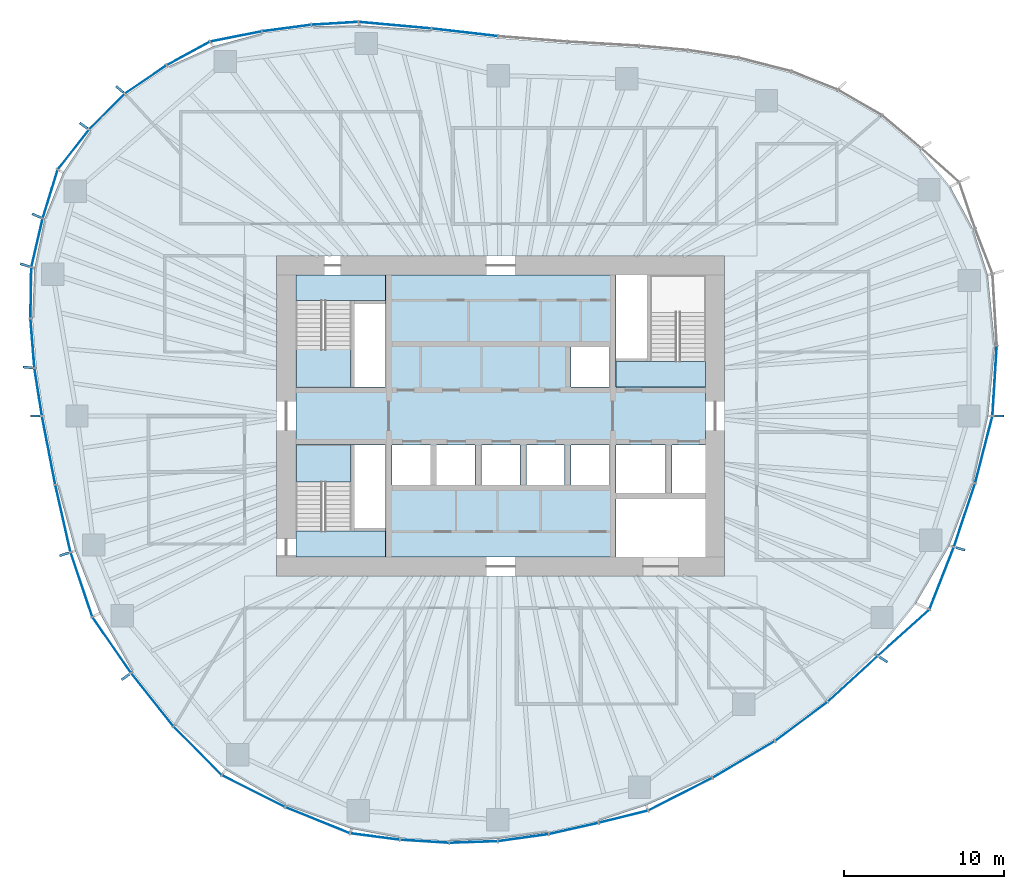
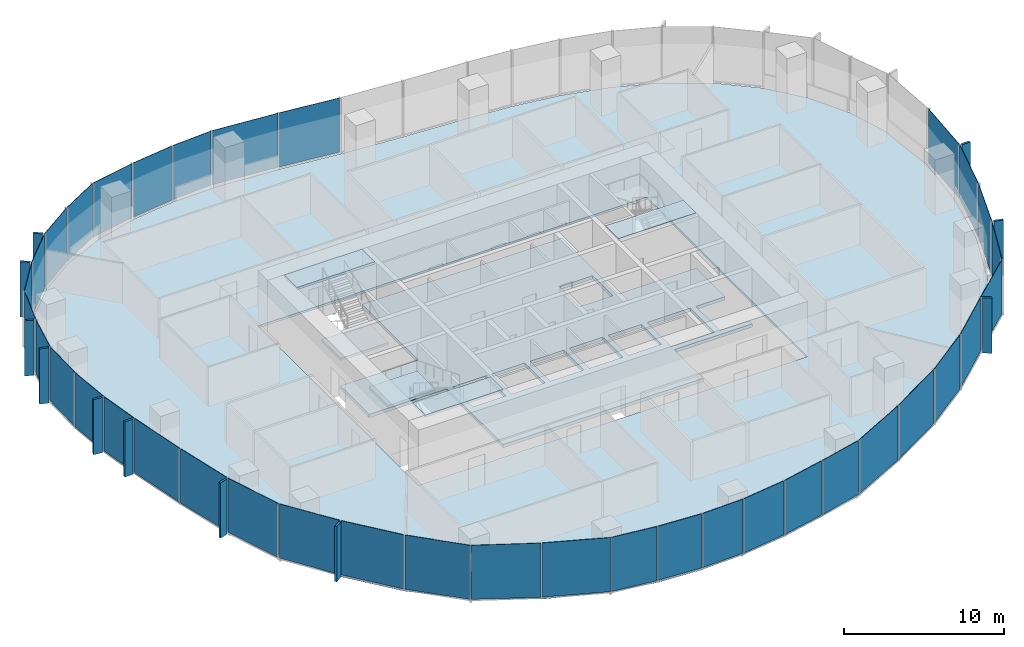
# One storey, part 7 of 18: 48 plates, 7 slabs, 19 elements without a shape of their own.
"""IFC4 building model written with IfcOpenShell, lengths in metres."""

from ifc_helpers import new_model, si_unit, direction, frame, origin, origin_2d, place, context, subcontext, project, spatial, polyline, rectangle, outline, extrude, material, layer, layer_set, type_object, element, aggregate, save


model = new_model("IFC4")

# Units and contexts
model_context = context("Model", 3, precision=1e-05, world=origin(), true_north=direction((0.0, 1.0)))
body_context = subcontext(model_context, "Body", "Model", "MODEL_VIEW")
ifc_project = project(units=[si_unit("LENGTHUNIT", "METRE"), si_unit("AREAUNIT", "SQUARE_METRE"), si_unit("VOLUMEUNIT", "CUBIC_METRE"), si_unit("PLANEANGLEUNIT", "RADIAN"), si_unit("MASSUNIT", "GRAM", prefix="KILO")], contexts=[model_context])

# Site, building, storey
site_placement = place(None, origin())
site = spatial("IfcSite", under=ifc_project, at=site_placement, CompositionType="ELEMENT")
building_placement = place(site_placement, origin())
building = spatial("IfcBuilding", under=site, at=building_placement, Name="Ghaith Harvest Tower", CompositionType="ELEMENT")
storey_placement = place(building_placement, frame((0.0, 0.0, 155.39990234375)))
storey = spatial("IfcBuildingStorey", under=building, at=storey_placement, Name="L33", CompositionType="ELEMENT", Elevation=155.39990234375)

# Curtain wall, plate
ifc_material_1 = material(Name="Black anodised aluminium and fritted glass", Category="aluminium")
curtain_wall_type = type_object("IfcCurtainWallType", Name="CW-L CURTAIN WALL", PredefinedType="NOTDEFINED", material=ifc_material_1)
curtain_wall_1_placement = place(storey_placement, origin())
curtain_wall_1 = element("IfcCurtainWall", 1, at=curtain_wall_1_placement, inside=storey, type_object=curtain_wall_type, Name="Curtain wall CW-L bay 01 L33", PredefinedType="NOTDEFINED")
ifc_material_2 = material(Name="Glass, dark solar-control fritted double glazed unit", Category="glass")
ifc_layer_1 = layer(ifc_material_2, 0.031982421875)
ifc_layer_set_1 = layer_set([ifc_layer_1], Name="CW-L VISION PANEL")
plate_type_1 = type_object("IfcPlateType", Name="CW-L VISION PANEL", PredefinedType="CURTAIN_PANEL", material=ifc_layer_set_1)
plate_1_placement = place(storey_placement, frame((30.86376953125, 2.19482421875, 0.080078125), z_axis=(0.0, 0.0, 1.0), x_axis=(0.061379619468, 0.99811449359, 0.0)))
plate_1 = element("IfcPlate", 2, at=plate_1_placement, type_object=plate_type_1, Name="CW-L glass unit 1 bay 01 L33", PredefinedType="CURTAIN_PANEL", context=body_context, shape_type="SweptSolid", body=[
    extrude(rectangle(XDim=4.318115234375, YDim=0.031982421875, at=origin_2d()), origin(), (0.0, 0.0, 1.0), 4.1201171875),
])
aggregate(curtain_wall_1, [plate_1])

# Curtain wall, plates
curtain_wall_2_placement = place(storey_placement, origin())
curtain_wall_2 = element("IfcCurtainWall", 3, at=curtain_wall_2_placement, inside=storey, type_object=curtain_wall_type, Name="Curtain wall CW-L bay 06 L33", PredefinedType="NOTDEFINED")
plate_2_placement = place(storey_placement, frame((-2.24267578125, 23.968505859375, 0.080078125), z_axis=(0.0, 0.0, 1.0), x_axis=(-0.993477024646, 0.114032458099, 0.0)))
plate_2 = element("IfcPlate", 4, at=plate_2_placement, type_object=plate_type_1, Name="CW-L glass unit 1 bay 06 L33", PredefinedType="CURTAIN_PANEL", context=body_context, shape_type="SweptSolid", body=[
    extrude(rectangle(XDim=4.10791015625, YDim=0.031982421875, at=origin_2d()), origin(), (0.0, 0.0, 1.0), 4.1201171875),
])
plate_3_placement = place(storey_placement, frame((-6.607666015625, 24.4140625, 0.080078125), z_axis=(0.0, 0.0, 1.0), x_axis=(-0.995928776302, 0.090143621701, 0.0)))
plate_3 = element("IfcPlate", 5, at=plate_3_placement, type_object=plate_type_1, Name="CW-L glass unit 2 bay 06 L33", PredefinedType="CURTAIN_PANEL", context=body_context, shape_type="SweptSolid", body=[
    extrude(rectangle(XDim=4.508056640625, YDim=0.031982421875, at=origin_2d()), origin(), (0.0, 0.0, 1.0), 4.1201171875),
])
aggregate(curtain_wall_2, [plate_2, plate_3])

curtain_wall_3_placement = place(storey_placement, origin())
curtain_wall_3 = element("IfcCurtainWall", 6, at=curtain_wall_3_placement, inside=storey, type_object=curtain_wall_type, Name="Curtain wall CW-L bay 07 L33", PredefinedType="NOTDEFINED")
plate_4_placement = place(storey_placement, frame((-10.36669921875, 24.5302734375, 0.080078125), z_axis=(0.0, 0.0, 1.0), x_axis=(-0.998119199641, -0.061303044853, 0.0)))
plate_4 = element("IfcPlate", 7, at=plate_4_placement, type_object=plate_type_1, Name="CW-L glass unit 1 bay 07 L33", PredefinedType="CURTAIN_PANEL", context=body_context, shape_type="SweptSolid", body=[
    extrude(rectangle(XDim=2.874267578125, YDim=0.031982421875, at=origin_2d()), origin(), (0.0, 0.0, 1.0), 4.1201171875),
])
plate_5_placement = place(storey_placement, frame((-13.382568359375, 24.23486328125, 0.080078125), z_axis=(0.0, 0.0, 1.0), x_axis=(-0.991285895369, -0.131728029071, 0.0)))
plate_5 = element("IfcPlate", 8, at=plate_5_placement, type_object=plate_type_1, Name="CW-L glass unit 2 bay 07 L33", PredefinedType="CURTAIN_PANEL", context=body_context, shape_type="SweptSolid", body=[
    extrude(rectangle(XDim=3.02978515625, YDim=0.031982421875, at=origin_2d()), origin(), (0.0, 0.0, 1.0), 4.1201171875),
])
plate_6_placement = place(storey_placement, frame((-16.54443359375, 23.7099609375, 0.080078125), z_axis=(0.0, 0.0, 1.0), x_axis=(-0.981037550101, -0.193817763096, 0.0)))
plate_6 = element("IfcPlate", 9, at=plate_6_placement, type_object=plate_type_1, Name="CW-L glass unit 3 bay 07 L33", PredefinedType="CURTAIN_PANEL", context=body_context, shape_type="SweptSolid", body=[
    extrude(rectangle(XDim=3.22412109375, YDim=0.031982421875, at=origin_2d()), origin(), (0.0, 0.0, 1.0), 4.1201171875),
])
aggregate(curtain_wall_3, [plate_4, plate_5, plate_6])

curtain_wall_4_placement = place(storey_placement, origin())
curtain_wall_4 = element("IfcCurtainWall", 10, at=curtain_wall_4_placement, inside=storey, type_object=curtain_wall_type, Name="Curtain wall CW-L bay 08 L33", PredefinedType="NOTDEFINED")
plate_7_placement = place(storey_placement, frame((-19.520263671875, 22.650634765625, 0.080078125), z_axis=(0.0, 0.0, 1.0), x_axis=(-0.877940384665, -0.478769966659, 0.0)))
plate_7 = element("IfcPlate", 11, at=plate_7_placement, type_object=plate_type_1, Name="CW-L glass unit 1 bay 08 L33", PredefinedType="CURTAIN_PANEL", context=body_context, shape_type="SweptSolid", body=[
    extrude(rectangle(XDim=3.007080078125, YDim=0.031982421875, at=origin_2d()), origin(), (0.0, 0.0, 1.0), 4.1201171875),
])
plate_8_placement = place(storey_placement, frame((-22.182373046875, 21.025390625, 0.080078125), z_axis=(0.0, 0.0, 1.0), x_axis=(-0.827674847773, -0.561207935051, 0.0)))
plate_8 = element("IfcPlate", 12, at=plate_8_placement, type_object=plate_type_1, Name="CW-L glass unit 2 bay 08 L33", PredefinedType="CURTAIN_PANEL", context=body_context, shape_type="SweptSolid", body=[
    extrude(rectangle(XDim=3.078369140625, YDim=0.031982421875, at=origin_2d()), origin(), (0.0, 0.0, 1.0), 4.1201171875),
])
plate_9_placement = place(storey_placement, frame((-24.603759765625, 19.01708984375, 0.080078125), z_axis=(0.0, 0.0, 1.0), x_axis=(-0.704613943896, -0.709590861037, 0.0)))
plate_9 = element("IfcPlate", 13, at=plate_9_placement, type_object=plate_type_1, Name="CW-L glass unit 3 bay 08 L33", PredefinedType="CURTAIN_PANEL", context=body_context, shape_type="SweptSolid", body=[
    extrude(rectangle(XDim=3.0830078125, YDim=0.031982421875, at=origin_2d()), origin(), (0.0, 0.0, 1.0), 4.1201171875),
])
aggregate(curtain_wall_4, [plate_7, plate_8, plate_9])

curtain_wall_5_placement = place(storey_placement, origin())
curtain_wall_5 = element("IfcCurtainWall", 14, at=curtain_wall_5_placement, inside=storey, type_object=curtain_wall_type, Name="Curtain wall CW-L bay 09 L33", PredefinedType="NOTDEFINED")
plate_10_placement = place(storey_placement, frame((-26.69873046875, 16.644775390625, 0.080078125), z_axis=(0.0, 0.0, 1.0), x_axis=(-0.617140806324, -0.786852734106, 0.0)))
plate_10 = element("IfcPlate", 15, at=plate_10_placement, type_object=plate_type_1, Name="CW-L glass unit 1 bay 09 L33", PredefinedType="CURTAIN_PANEL", context=body_context, shape_type="SweptSolid", body=[
    extrude(rectangle(XDim=3.09765625, YDim=0.031982421875, at=origin_2d()), origin(), (0.0, 0.0, 1.0), 4.1201171875),
])
plate_11_placement = place(storey_placement, frame((-28.14794921875, 13.869140625, 0.080078125), z_axis=(0.0, 0.0, 1.0), x_axis=(-0.293802674087, -0.955866093498, 0.0)))
plate_11 = element("IfcPlate", 16, at=plate_11_placement, type_object=plate_type_1, Name="CW-L glass unit 2 bay 09 L33", PredefinedType="CURTAIN_PANEL", context=body_context, shape_type="SweptSolid", body=[
    extrude(rectangle(XDim=3.111328125, YDim=0.031982421875, at=origin_2d()), origin(), (0.0, 0.0, 1.0), 4.1201171875),
])
plate_12_placement = place(storey_placement, frame((-28.9716796875, 10.819091796875, 0.080078125), z_axis=(0.0, 0.0, 1.0), x_axis=(-0.226698962458, -0.973964876379, 0.0)))
plate_12 = element("IfcPlate", 17, at=plate_12_placement, type_object=plate_type_1, Name="CW-L glass unit 3 bay 09 L33", PredefinedType="CURTAIN_PANEL", context=body_context, shape_type="SweptSolid", body=[
    extrude(rectangle(XDim=3.05126953125, YDim=0.031982421875, at=origin_2d()), origin(), (0.0, 0.0, 1.0), 4.1201171875),
])
aggregate(curtain_wall_5, [plate_10, plate_11, plate_12])

curtain_wall_6_placement = place(storey_placement, origin())
curtain_wall_6 = element("IfcCurtainWall", 18, at=curtain_wall_6_placement, inside=storey, type_object=curtain_wall_type, Name="Curtain wall CW-L bay 10 L33", PredefinedType="NOTDEFINED")
plate_13_placement = place(storey_placement, frame((-29.352294921875, 7.695068359375, 0.080078125), z_axis=(0.0, 0.0, 1.0), x_axis=(-0.016034106433, -0.999871445452, 0.0)))
plate_13 = element("IfcPlate", 19, at=plate_13_placement, type_object=plate_type_1, Name="CW-L glass unit 1 bay 10 L33", PredefinedType="CURTAIN_PANEL", context=body_context, shape_type="SweptSolid", body=[
    extrude(rectangle(XDim=3.118408203125, YDim=0.031982421875, at=origin_2d()), origin(), (0.0, 0.0, 1.0), 4.1201171875),
])
plate_14_placement = place(storey_placement, frame((-29.25439453125, 4.54345703125, 0.080078125), z_axis=(0.0, 0.0, 1.0), x_axis=(0.079273335663, -0.996852917061, 0.0)))
plate_14 = element("IfcPlate", 20, at=plate_14_placement, type_object=plate_type_1, Name="CW-L glass unit 2 bay 10 L33", PredefinedType="CURTAIN_PANEL", context=body_context, shape_type="SweptSolid", body=[
    extrude(rectangle(XDim=3.035400390625, YDim=0.031982421875, at=origin_2d()), origin(), (0.0, 0.0, 1.0), 4.1201171875),
])
plate_15_placement = place(storey_placement, frame((-28.896240234375, 1.495361328125, 0.080078125), z_axis=(0.0, 0.0, 1.0), x_axis=(0.155172175389, -0.987887440949, 0.0)))
plate_15 = element("IfcPlate", 21, at=plate_15_placement, type_object=plate_type_1, Name="CW-L glass unit 3 bay 10 L33", PredefinedType="CURTAIN_PANEL", context=body_context, shape_type="SweptSolid", body=[
    extrude(rectangle(XDim=2.947265625, YDim=0.031982421875, at=origin_2d()), origin(), (0.0, 0.0, 1.0), 4.1201171875),
])
aggregate(curtain_wall_6, [plate_13, plate_14, plate_15])

curtain_wall_7_placement = place(storey_placement, origin())
curtain_wall_7 = element("IfcCurtainWall", 22, at=curtain_wall_7_placement, inside=storey, type_object=curtain_wall_type, Name="Curtain wall CW-L bay 11 L33", PredefinedType="NOTDEFINED")
plate_16_placement = place(storey_placement, frame((-28.24462890625, -2.152099609375, 0.080078125), z_axis=(0.0, 0.0, 1.0), x_axis=(0.190044913274, -0.981775397399, 0.0)))
plate_16 = element("IfcPlate", 23, at=plate_16_placement, type_object=plate_type_1, Name="CW-L glass unit 1 bay 11 L33", PredefinedType="CURTAIN_PANEL", context=body_context, shape_type="SweptSolid", body=[
    extrude(rectangle(XDim=4.303955078125, YDim=0.031982421875, at=origin_2d()), origin(), (0.0, 0.0, 1.0), 4.1201171875),
])
plate_17_placement = place(storey_placement, frame((-27.351806640625, -6.41064453125, 0.080078125), z_axis=(0.0, 0.0, 1.0), x_axis=(0.220483469245, -0.975390711351, 0.0)))
plate_17 = element("IfcPlate", 24, at=plate_17_placement, type_object=plate_type_1, Name="CW-L glass unit 2 bay 11 L33", PredefinedType="CURTAIN_PANEL", context=body_context, shape_type="SweptSolid", body=[
    extrude(rectangle(XDim=4.239501953125, YDim=0.031982421875, at=origin_2d()), origin(), (0.0, 0.0, 1.0), 4.1201171875),
])
aggregate(curtain_wall_7, [plate_16, plate_17])

curtain_wall_8_placement = place(storey_placement, origin())
curtain_wall_8 = element("IfcCurtainWall", 25, at=curtain_wall_8_placement, inside=storey, type_object=curtain_wall_type, Name="Curtain wall CW-L bay 12 L33", PredefinedType="NOTDEFINED")
plate_18_placement = place(storey_placement, frame((-26.194580078125, -10.537841796875, 0.080078125), z_axis=(0.0, 0.0, 1.0), x_axis=(0.319477383729, -0.947593901039, 0.0)))
plate_18 = element("IfcPlate", 26, at=plate_18_placement, type_object=plate_type_1, Name="CW-L glass unit 1 bay 12 L33", PredefinedType="CURTAIN_PANEL", context=body_context, shape_type="SweptSolid", body=[
    extrude(rectangle(XDim=4.184326171875, YDim=0.031982421875, at=origin_2d()), origin(), (0.0, 0.0, 1.0), 4.1201171875),
])
plate_19_placement = place(storey_placement, frame((-24.3017578125, -14.312255859375, 0.080078125), z_axis=(0.0, 0.0, 1.0), x_axis=(0.568347699633, -0.822788485774, 0.0)))
plate_19 = element("IfcPlate", 27, at=plate_19_placement, type_object=plate_type_1, Name="CW-L glass unit 2 bay 12 L33", PredefinedType="CURTAIN_PANEL", context=body_context, shape_type="SweptSolid", body=[
    extrude(rectangle(XDim=4.18359375, YDim=0.031982421875, at=origin_2d()), origin(), (0.0, 0.0, 1.0), 4.1201171875),
])
aggregate(curtain_wall_8, [plate_18, plate_19])

curtain_wall_9_placement = place(storey_placement, origin())
curtain_wall_9 = element("IfcCurtainWall", 28, at=curtain_wall_9_placement, inside=storey, type_object=curtain_wall_type, Name="Curtain wall CW-L bay 13 L33", PredefinedType="NOTDEFINED")
plate_20_placement = place(storey_placement, frame((-21.765625, -17.7314453125, 0.080078125), z_axis=(0.0, 0.0, 1.0), x_axis=(0.622507360482, -0.782613944513, 0.0)))
plate_20 = element("IfcPlate", 29, at=plate_20_placement, type_object=plate_type_1, Name="CW-L glass unit 1 bay 13 L33", PredefinedType="CURTAIN_PANEL", context=body_context, shape_type="SweptSolid", body=[
    extrude(rectangle(XDim=4.175537109375, YDim=0.031982421875, at=origin_2d()), origin(), (0.0, 0.0, 1.0), 4.1201171875),
])
plate_21_placement = place(storey_placement, frame((-18.935791015625, -20.920166015625, 0.080078125), z_axis=(0.0, 0.0, 1.0), x_axis=(0.702843151286, -0.711344856375, 0.0)))
plate_21 = element("IfcPlate", 30, at=plate_21_placement, type_object=plate_type_1, Name="CW-L glass unit 2 bay 13 L33", PredefinedType="CURTAIN_PANEL", context=body_context, shape_type="SweptSolid", body=[
    extrude(rectangle(XDim=4.203369140625, YDim=0.031982421875, at=origin_2d()), origin(), (0.0, 0.0, 1.0), 4.1201171875),
])
aggregate(curtain_wall_9, [plate_20, plate_21])

curtain_wall_10_placement = place(storey_placement, origin())
curtain_wall_10 = element("IfcCurtainWall", 31, at=curtain_wall_10_placement, inside=storey, type_object=curtain_wall_type, Name="Curtain wall CW-L bay 14 L33", PredefinedType="NOTDEFINED")
plate_22_placement = place(storey_placement, frame((-15.44677734375, -23.443115234375, 0.080078125), z_axis=(0.0, 0.0, 1.0), x_axis=(0.893062297869, -0.449933030712, 0.0)))
plate_22 = element("IfcPlate", 32, at=plate_22_placement, type_object=plate_type_1, Name="CW-L glass unit 1 bay 14 L33", PredefinedType="CURTAIN_PANEL", context=body_context, shape_type="SweptSolid", body=[
    extrude(rectangle(XDim=4.362548828125, YDim=0.031982421875, at=origin_2d()), origin(), (0.0, 0.0, 1.0), 4.1201171875),
])
plate_23_placement = place(storey_placement, frame((-11.441162109375, -25.260498046875, 0.080078125), z_axis=(0.0, 0.0, 1.0), x_axis=(0.927002522537, -0.375055093567, 0.0)))
plate_23 = element("IfcPlate", 33, at=plate_23_placement, type_object=plate_type_1, Name="CW-L glass unit 2 bay 14 L33", PredefinedType="CURTAIN_PANEL", context=body_context, shape_type="SweptSolid", body=[
    extrude(rectangle(XDim=4.282470703125, YDim=0.031982421875, at=origin_2d()), origin(), (0.0, 0.0, 1.0), 4.1201171875),
])
aggregate(curtain_wall_10, [plate_22, plate_23])

curtain_wall_11_placement = place(storey_placement, origin())
curtain_wall_11 = element("IfcCurtainWall", 34, at=curtain_wall_11_placement, inside=storey, type_object=curtain_wall_type, Name="Curtain wall CW-L bay 15 L33", PredefinedType="NOTDEFINED")
plate_24_placement = place(storey_placement, frame((-7.856689453125, -26.281005859375, 0.080078125), z_axis=(0.0, 0.0, 1.0), x_axis=(0.99172348392, -0.128392100386, 0.0)))
plate_24 = element("IfcPlate", 35, at=plate_24_placement, type_object=plate_type_1, Name="CW-L glass unit 1 bay 15 L33", PredefinedType="CURTAIN_PANEL", context=body_context, shape_type="SweptSolid", body=[
    extrude(rectangle(XDim=3.07080078125, YDim=0.031982421875, at=origin_2d()), origin(), (0.0, 0.0, 1.0), 4.1201171875),
])
plate_25_placement = place(storey_placement, frame((-4.7568359375, -26.57958984375, 0.080078125), z_axis=(0.0, 0.0, 1.0), x_axis=(0.998038280843, -0.062606628824, 0.0)))
plate_25 = element("IfcPlate", 36, at=plate_25_placement, type_object=plate_type_1, Name="CW-L glass unit 2 bay 15 L33", PredefinedType="CURTAIN_PANEL", context=body_context, shape_type="SweptSolid", body=[
    extrude(rectangle(XDim=3.001220703125, YDim=0.031982421875, at=origin_2d()), origin(), (0.0, 0.0, 1.0), 4.1201171875),
])
plate_26_placement = place(storey_placement, frame((-1.700439453125, -26.624755859375, 0.080078125), z_axis=(0.0, 0.0, 1.0), x_axis=(0.999431515426, 0.033714180603, 0.0)))
plate_26 = element("IfcPlate", 37, at=plate_26_placement, type_object=plate_type_1, Name="CW-L glass unit 3 bay 15 L33", PredefinedType="CURTAIN_PANEL", context=body_context, shape_type="SweptSolid", body=[
    extrude(rectangle(XDim=2.958984375, YDim=0.031982421875, at=origin_2d()), origin(), (0.0, 0.0, 1.0), 4.1201171875),
])
aggregate(curtain_wall_11, [plate_24, plate_25, plate_26])

curtain_wall_12_placement = place(storey_placement, origin())
curtain_wall_12 = element("IfcCurtainWall", 38, at=curtain_wall_12_placement, inside=storey, type_object=curtain_wall_type, Name="Curtain wall CW-L bay 16 L33", PredefinedType="NOTDEFINED")
plate_27_placement = place(storey_placement, frame((1.4140625, -26.3515625, 0.080078125), z_axis=(0.0, 0.0, 1.0), x_axis=(0.990448098003, 0.137886058621, 0.0)))
plate_27 = element("IfcPlate", 39, at=plate_27_placement, type_object=plate_type_1, Name="CW-L glass unit 1 bay 16 L33", PredefinedType="CURTAIN_PANEL", context=body_context, shape_type="SweptSolid", body=[
    extrude(rectangle(XDim=3.142578125, YDim=0.031982421875, at=origin_2d()), origin(), (0.0, 0.0, 1.0), 4.1201171875),
])
plate_28_placement = place(storey_placement, frame((4.565185546875, -25.77734375, 0.080078125), z_axis=(0.0, 0.0, 1.0), x_axis=(0.975341754172, 0.220699937852, 0.0)))
plate_28 = element("IfcPlate", 40, at=plate_28_placement, type_object=plate_type_1, Name="CW-L glass unit 2 bay 16 L33", PredefinedType="CURTAIN_PANEL", context=body_context, shape_type="SweptSolid", body=[
    extrude(rectangle(XDim=3.10888671875, YDim=0.031982421875, at=origin_2d()), origin(), (0.0, 0.0, 1.0), 4.1201171875),
])
plate_29_placement = place(storey_placement, frame((7.66845703125, -25.0400390625, 0.080078125), z_axis=(0.0, 0.0, 1.0), x_axis=(0.970384283801, 0.241566433413, 0.0)))
plate_29 = element("IfcPlate", 41, at=plate_29_placement, type_object=plate_type_1, Name="CW-L glass unit 3 bay 16 L33", PredefinedType="CURTAIN_PANEL", context=body_context, shape_type="SweptSolid", body=[
    extrude(rectangle(XDim=3.111083984375, YDim=0.031982421875, at=origin_2d()), origin(), (0.0, 0.0, 1.0), 4.1201171875),
])
aggregate(curtain_wall_12, [plate_27, plate_28, plate_29])

curtain_wall_13_placement = place(storey_placement, origin())
curtain_wall_13 = element("IfcCurtainWall", 42, at=curtain_wall_13_placement, inside=storey, type_object=curtain_wall_type, Name="Curtain wall CW-L bay 17 L33", PredefinedType="NOTDEFINED")
plate_30_placement = place(storey_placement, frame((11.220703125, -23.63427734375, 0.080078125), z_axis=(0.0, 0.0, 1.0), x_axis=(0.891126766056, 0.453754434489, 0.0)))
plate_30 = element("IfcPlate", 43, at=plate_30_placement, type_object=plate_type_1, Name="CW-L glass unit 1 bay 17 L33", PredefinedType="CURTAIN_PANEL", context=body_context, shape_type="SweptSolid", body=[
    extrude(rectangle(XDim=4.417236328125, YDim=0.031982421875, at=origin_2d()), origin(), (0.0, 0.0, 1.0), 4.1201171875),
])
plate_31_placement = place(storey_placement, frame((15.17822265625, -21.46484375, 0.080078125), z_axis=(0.0, 0.0, 1.0), x_axis=(0.861979497965, 0.506943137924, 0.0)))
plate_31 = element("IfcPlate", 44, at=plate_31_placement, type_object=plate_type_1, Name="CW-L glass unit 2 bay 17 L33", PredefinedType="CURTAIN_PANEL", context=body_context, shape_type="SweptSolid", body=[
    extrude(rectangle(XDim=4.453125, YDim=0.031982421875, at=origin_2d()), origin(), (0.0, 0.0, 1.0), 4.1201171875),
])
aggregate(curtain_wall_13, [plate_30, plate_31])

curtain_wall_14_placement = place(storey_placement, origin())
curtain_wall_14 = element("IfcCurtainWall", 45, at=curtain_wall_14_placement, inside=storey, type_object=curtain_wall_type, Name="Curtain wall CW-L bay 18 L33", PredefinedType="NOTDEFINED")
plate_32_placement = place(storey_placement, frame((18.78076171875, -19.08984375, 0.080078125), z_axis=(0.0, 0.0, 1.0), x_axis=(0.802462370117, 0.596702727115, 0.0)))
plate_32 = element("IfcPlate", 46, at=plate_32_placement, type_object=plate_type_1, Name="CW-L glass unit 1 bay 18 L33", PredefinedType="CURTAIN_PANEL", context=body_context, shape_type="SweptSolid", body=[
    extrude(rectangle(XDim=4.029541015625, YDim=0.031982421875, at=origin_2d()), origin(), (0.0, 0.0, 1.0), 4.1201171875),
])
plate_33_placement = place(storey_placement, frame((21.9951171875, -16.428955078125, 0.080078125), z_axis=(0.0, 0.0, 1.0), x_axis=(0.737201663563, 0.675672781189, 0.0)))
plate_33 = element("IfcPlate", 47, at=plate_33_placement, type_object=plate_type_1, Name="CW-L glass unit 2 bay 18 L33", PredefinedType="CURTAIN_PANEL", context=body_context, shape_type="SweptSolid", body=[
    extrude(rectangle(XDim=4.1669921875, YDim=0.031982421875, at=origin_2d()), origin(), (0.0, 0.0, 1.0), 4.1201171875),
])
aggregate(curtain_wall_14, [plate_32, plate_33])

curtain_wall_15_placement = place(storey_placement, origin())
curtain_wall_15 = element("IfcCurtainWall", 48, at=curtain_wall_15_placement, inside=storey, type_object=curtain_wall_type, Name="Curtain wall CW-L bay 19 L33", PredefinedType="NOTDEFINED")
plate_34_placement = place(storey_placement, frame((25.17333984375, -13.54345703125, 0.080078125), z_axis=(0.0, 0.0, 1.0), x_axis=(0.743493028761, 0.668743684968, 0.0)))
plate_34 = element("IfcPlate", 49, at=plate_34_placement, type_object=plate_type_1, Name="CW-L glass unit 1 bay 19 L33", PredefinedType="CURTAIN_PANEL", context=body_context, shape_type="SweptSolid", body=[
    extrude(rectangle(XDim=4.2587890625, YDim=0.031982421875, at=origin_2d()), origin(), (0.0, 0.0, 1.0), 4.1201171875),
])
plate_35_placement = place(storey_placement, frame((27.552978515625, -10.138916015625, 0.080078125), z_axis=(0.0, 0.0, 1.0), x_axis=(0.365226458984, 0.930918704108, 0.0)))
plate_35 = element("IfcPlate", 50, at=plate_35_placement, type_object=plate_type_1, Name="CW-L glass unit 2 bay 19 L33", PredefinedType="CURTAIN_PANEL", context=body_context, shape_type="SweptSolid", body=[
    extrude(rectangle(XDim=4.11767578125, YDim=0.031982421875, at=origin_2d()), origin(), (0.0, 0.0, 1.0), 4.1201171875),
])
aggregate(curtain_wall_15, [plate_34, plate_35])

curtain_wall_16_placement = place(storey_placement, origin())
curtain_wall_16 = element("IfcCurtainWall", 51, at=curtain_wall_16_placement, inside=storey, type_object=curtain_wall_type, Name="Curtain wall CW-L bay 20 L33", PredefinedType="NOTDEFINED")
plate_36_placement = place(storey_placement, frame((28.982666015625, -6.191650390625, 0.080078125), z_axis=(0.0, 0.0, 1.0), x_axis=(0.315708038084, 0.948856382541, 0.0)))
plate_36 = element("IfcPlate", 52, at=plate_36_placement, type_object=plate_type_1, Name="CW-L glass unit 1 bay 20 L33", PredefinedType="CURTAIN_PANEL", context=body_context, shape_type="SweptSolid", body=[
    extrude(rectangle(XDim=4.12158203125, YDim=0.031982421875, at=origin_2d()), origin(), (0.0, 0.0, 1.0), 4.1201171875),
])
plate_37_placement = place(storey_placement, frame((30.187255859375, -2.09912109375, 0.080078125), z_axis=(0.0, 0.0, 1.0), x_axis=(0.24974411022, 0.968311870944, 0.0)))
plate_37 = element("IfcPlate", 53, at=plate_37_placement, type_object=plate_type_1, Name="CW-L glass unit 2 bay 20 L33", PredefinedType="CURTAIN_PANEL", context=body_context, shape_type="SweptSolid", body=[
    extrude(rectangle(XDim=4.255615234375, YDim=0.031982421875, at=origin_2d()), origin(), (0.0, 0.0, 1.0), 4.1201171875),
])
aggregate(curtain_wall_16, [plate_36, plate_37])

# Slabs
ifc_material_3 = material(Name="Concrete C40/50", Category="concrete")
ifc_layer_2 = layer(ifc_material_3, 0.169921875)
ifc_layer_set_2 = layer_set([ifc_layer_2], Name="FLOOR SLAB 170")
slab_type_1 = type_object("IfcSlabType", Name="FLOOR SLAB 170", PredefinedType="FLOOR", material=ifc_layer_set_2)
slab_1_placement = place(storey_placement, frame((0.0, 0.0, -0.169921875)))
element("IfcSlab", 54, at=slab_1_placement, inside=storey, type_object=slab_type_1, Name="Floor slab L33", PredefinedType="FLOOR", context=body_context, shape_type="SweptSolid", body=[
    extrude(outline(polyline([(30.458740234375, 0.0), (30.8798828125, 4.373046875), (30.439208984375, 8.797607421875), (29.52294921875, 11.671875), (28.0888671875, 14.32568359375), (26.179443359375, 16.660888671875), (23.7275390625, 18.718017578125), (20.97998046875, 20.3056640625), (18.0849609375, 21.4462890625), (14.79833984375, 22.27978515625), (11.617919921875, 22.757080078125), (8.604736328125, 23.017333984375), (4.125732421875, 23.272705078125), (-0.16162109375, 23.609619140625), (-4.302001953125, 24.089111328125), (-8.814208984375, 24.404541015625), (-11.788818359375, 24.331787109375), (-14.860595703125, 23.927978515625), (-17.938232421875, 23.097412109375), (-20.79248046875, 21.82470703125), (-23.398193359375, 20.06103515625), (-25.61962890625, 17.826416015625), (-27.33837890625, 15.204833984375), (-28.506591796875, 12.29638671875), (-29.12646484375, 9.230712890625), (-29.260498046875, 6.07177734375), (-29.01171875, 2.978271484375), (-28.541259765625, 0.0), (-27.70947265625, -4.285888671875), (-26.580078125, -8.423583984375), (-25.046875, -12.32861328125), (-22.99169921875, -15.997802734375), (-20.35400390625, -19.31396484375), (-17.1728515625, -22.11181640625), (-13.4052734375, -24.33740234375), (-9.317138671875, -25.79638671875), (-6.2666015625, -26.366455078125), (-3.204833984375, -26.556884765625), (-0.180908203125, -26.423583984375), (2.99609375, -26.010009765625), (6.09228515625, -25.308837890625), (9.09423828125, -24.326904296875), (13.163818359375, -22.510498046875), (17.054443359375, -20.22412109375), (20.33935546875, -17.784912109375), (23.400390625, -14.89208984375), (25.94775390625, -11.714111328125), (28.03125, -8.1015625), (29.527099609375, -4.181396484375), (30.458740234375, 0.0)]), holes=[polyline([(-14.0, -10.0), (14.0, -10.0), (14.0, 10.0), (-14.0, 10.0), (-14.0, -10.0)])]), origin(), (0.0, 0.0, 1.0), 0.169921875),
])
ifc_material_4 = material(Name="Concrete C40/50", Category="concrete")
ifc_layer_3 = layer(ifc_material_4, 0.25)
ifc_layer_set_3 = layer_set([ifc_layer_3], Name="FLOOR SLAB 250")
slab_type_2 = type_object("IfcSlabType", Name="FLOOR SLAB 250", PredefinedType="FLOOR", material=ifc_layer_set_3)
slab_2_placement = place(storey_placement, frame((0.0, 0.0, -0.25)))
element("IfcSlab", 55, at=slab_2_placement, inside=storey, type_object=slab_type_2, Name="Core slab L33", PredefinedType="FLOOR", context=body_context, shape_type="SweptSolid", body=[
    extrude(outline(polyline([(-12.800048828125, 1.800048828125), (-7.199951171875, 1.800048828125), (-7.199951171875, 8.800048828125), (7.199951171875, 8.800048828125), (7.199951171875, 1.800048828125), (12.800048828125, 1.800048828125), (12.800048828125, -1.800048828125), (10.699951171875, -1.800048828125), (10.699951171875, -4.800048828125), (12.800048828125, -4.800048828125), (12.800048828125, -5.199951171875), (7.199951171875, -5.199951171875), (7.199951171875, -8.800048828125), (-7.199951171875, -8.800048828125), (-7.199951171875, -1.800048828125), (-12.800048828125, -1.800048828125), (-12.800048828125, 1.800048828125)]), holes=[polyline([(-4.39990234375, -4.300048828125), (-4.39990234375, -1.800048828125), (-6.800048828125, -1.800048828125), (-6.800048828125, -4.300048828125), (-4.39990234375, -4.300048828125)]), polyline([(-1.60009765625, -4.300048828125), (-1.60009765625, -1.800048828125), (-4.0, -1.800048828125), (-4.0, -4.300048828125), (-1.60009765625, -4.300048828125)]), polyline([(1.199951171875, -1.800048828125), (-1.199951171875, -1.800048828125), (-1.199951171875, -4.300048828125), (1.199951171875, -4.300048828125), (1.199951171875, -1.800048828125)]), polyline([(4.0, -4.300048828125), (4.0, -1.800048828125), (1.60009765625, -1.800048828125), (1.60009765625, -4.300048828125), (4.0, -4.300048828125)]), polyline([(10.300048828125, -4.800048828125), (10.300048828125, -1.800048828125), (7.199951171875, -1.800048828125), (7.199951171875, -4.800048828125), (10.300048828125, -4.800048828125)]), polyline([(6.800048828125, -1.800048828125), (4.39990234375, -1.800048828125), (4.39990234375, -4.300048828125), (6.800048828125, -4.300048828125), (6.800048828125, -1.800048828125)]), polyline([(6.800048828125, 1.800048828125), (6.800048828125, 4.300048828125), (4.39990234375, 4.300048828125), (4.39990234375, 1.800048828125), (6.800048828125, 1.800048828125)])]), origin(), (0.0, 0.0, 1.0), 0.25),
])

# Stair, slabs
ifc_material_5 = material(Name="Concrete C40/50, precast", Category="concrete")
stair_type = type_object("IfcStairType", Name="CORE STAIR 24R", PredefinedType="HALF_TURN_STAIR", material=ifc_material_5)
stair_1_placement = place(storey_placement, origin())
stair_1 = element("IfcStair", 56, at=stair_1_placement, inside=storey, type_object=stair_type, Name="Stair ST1 L33", PredefinedType="HALF_TURN_STAIR")
ifc_material_6 = material(Name="Concrete C40/50, precast", Category="concrete")
ifc_layer_4 = layer(ifc_material_6, 0.179931640625)
ifc_layer_set_4 = layer_set([ifc_layer_4], Name="STAIR LANDING 180")
slab_type_3 = type_object("IfcSlabType", Name="STAIR LANDING 180", PredefinedType="LANDING", material=ifc_layer_set_4)
slab_3_placement = place(storey_placement, frame((0.0, 0.0, 1.920166015625)))
slab_3 = element("IfcSlab", 57, at=slab_3_placement, type_object=slab_type_3, Name="ST1 landing 1", PredefinedType="LANDING", context=body_context, shape_type="SweptSolid", body=[
    extrude(outline(polyline([(-12.800048828125, 4.139892578125), (-12.800048828125, 1.77490234375), (-9.35009765625, 1.77490234375), (-9.35009765625, 4.139892578125), (-12.800048828125, 4.139892578125)])), origin(), (0.0, 0.0, 1.0), 0.179931640625),
])
slab_4_placement = place(storey_placement, frame((0.0, 0.0, 4.02001953125)))
slab_4 = element("IfcSlab", 58, at=slab_4_placement, type_object=slab_type_3, Name="ST1 landing 2", PredefinedType="LANDING", context=body_context, shape_type="SweptSolid", body=[
    extrude(outline(polyline([(-12.800048828125, 8.800048828125), (-12.800048828125, 7.199951171875), (-7.199951171875, 7.199951171875), (-7.199951171875, 8.800048828125), (-12.800048828125, 8.800048828125)])), origin(), (0.0, 0.0, 1.0), 0.18017578125),
])
aggregate(stair_1, [slab_3, slab_4])

stair_2_placement = place(storey_placement, origin())
stair_2 = element("IfcStair", 59, at=stair_2_placement, inside=storey, type_object=stair_type, Name="Stair ST3 L33", PredefinedType="HALF_TURN_STAIR")
slab_5_placement = place(storey_placement, frame((0.0, 0.0, 1.920166015625)))
slab_5 = element("IfcSlab", 60, at=slab_5_placement, type_object=slab_type_3, Name="ST3 landing 1", PredefinedType="LANDING", context=body_context, shape_type="SweptSolid", body=[
    extrude(outline(polyline([(-12.800048828125, -4.139892578125), (-12.800048828125, -1.77490234375), (-9.35009765625, -1.77490234375), (-9.35009765625, -4.139892578125), (-12.800048828125, -4.139892578125)])), origin(), (0.0, 0.0, 1.0), 0.179931640625),
])
slab_6_placement = place(storey_placement, frame((0.0, 0.0, 4.02001953125)))
slab_6 = element("IfcSlab", 61, at=slab_6_placement, type_object=slab_type_3, Name="ST3 landing 2", PredefinedType="LANDING", context=body_context, shape_type="SweptSolid", body=[
    extrude(outline(polyline([(-12.800048828125, -8.800048828125), (-12.800048828125, -7.199951171875), (-7.199951171875, -7.199951171875), (-7.199951171875, -8.800048828125), (-12.800048828125, -8.800048828125)])), origin(), (0.0, 0.0, 1.0), 0.18017578125),
])
aggregate(stair_2, [slab_5, slab_6])

# Stair, slab
stair_3_placement = place(storey_placement, origin())
stair_3 = element("IfcStair", 62, at=stair_3_placement, inside=storey, type_object=stair_type, Name="Stair ST2 L33", PredefinedType="HALF_TURN_STAIR")
slab_7_placement = place(storey_placement, frame((0.0, 0.0, 4.02001953125)))
slab_7 = element("IfcSlab", 63, at=slab_7_placement, type_object=slab_type_3, Name="ST2 landing 2", PredefinedType="LANDING", context=body_context, shape_type="SweptSolid", body=[
    extrude(outline(polyline([(12.800048828125, 1.800048828125), (12.800048828125, 3.39990234375), (7.199951171875, 3.39990234375), (7.199951171875, 1.800048828125), (12.800048828125, 1.800048828125)])), origin(), (0.0, 0.0, 1.0), 0.18017578125),
])
aggregate(stair_3, [slab_7])

# Plates
ifc_material_7 = material(Name="Glassfibre-reinforced concrete", Category="concrete")
ifc_layer_5 = layer(ifc_material_7, 0.14990234375)
ifc_layer_set_5 = layer_set([ifc_layer_5], Name="SUN-BREAKER FIN 600x150")
plate_type_2 = type_object("IfcPlateType", Name="SUN-BREAKER FIN 600x150", PredefinedType="USERDEFINED", material=ifc_layer_set_5)
for number, where, z_axis, x_axis, name in (
    (64, (31.148681640625, 0.0, 0.0), (0.0, 0.0, 1.0), (1.0, 0.0, 0.0), "Sun-breaker fin CW-L 1 bay 01 L33"),
    (65, (-23.808349609375, 20.41259765625, 0.0), (0.0, 0.0, 1.0), (-0.759169742643, 0.650892696115, 0.0), "Sun-breaker fin CW-L 3 bay 08 L33"),
    (66, (-26.06298828125, 18.134765625, 0.0), (0.0, 0.0, 1.0), (-0.820845486523, 0.571150319316, 0.0), "Sun-breaker fin CW-L 1 bay 09 L33"),
    (67, (-29.00244140625, 12.51025390625, 0.0), (0.0, 0.0, 1.0), (-0.918217993215, 0.396075392995, 0.0), "Sun-breaker fin CW-L 3 bay 09 L33"),
    (68, (-29.72705078125, 9.4208984375, 0.0), (0.0, 0.0, 1.0), (-0.953273219358, 0.302109531884, 0.0), "Sun-breaker fin CW-L 1 bay 10 L33"),
    (69, (-29.548828125, 3.033447265625, 0.0), (0.0, 0.0, 1.0), (-0.994771752973, 0.102123256344, 0.0), "Sun-breaker fin CW-L 3 bay 10 L33"),
    (70, (-29.081298828125, 0.0, 0.0), (0.0, 0.0, 1.0), (-1.0, -4.19e-10, 0.0), "Sun-breaker fin CW-L 1 bay 11 L33"),
    (71, (-27.276123046875, -8.644287109375, 0.0), (0.0, 0.0, 1.0), (-0.953273219416, -0.302109531701, 0.0), "Sun-breaker fin CW-L 1 bay 12 L33"),
    (72, (-23.434814453125, -16.30615234375, 0.0), (0.0, 0.0, 1.0), (-0.820845486622, -0.571150319173, 0.0), "Sun-breaker fin CW-L 1 bay 13 L33"),
    (73, (23.914794921875, -15.2197265625, 0.0), (0.0, 0.0, 1.0), (0.84364397137, -0.536903016913, 0.0), "Sun-breaker fin CW-L 1 bay 19 L33"),
    (74, (28.722900390625, -8.301513671875, 0.0), (0.0, 0.0, 1.0), (0.960680349932, -0.277656739976, 0.0), "Sun-breaker fin CW-L 1 bay 20 L33"),
):
    element("IfcPlate", number, at=place(storey_placement, frame(where, z_axis=z_axis, x_axis=x_axis)), inside=storey, type_object=plate_type_2, Name=name, ObjectType="SUN-BREAKER FIN", PredefinedType="USERDEFINED", context=body_context, shape_type="SweptSolid", body=[
        extrude(rectangle(XDim=0.60009765625, YDim=0.14990234375, at=origin_2d()), origin(), (0.0, 0.0, 1.0), 4.199951171875),
    ])

save(model, "model.ifc")
